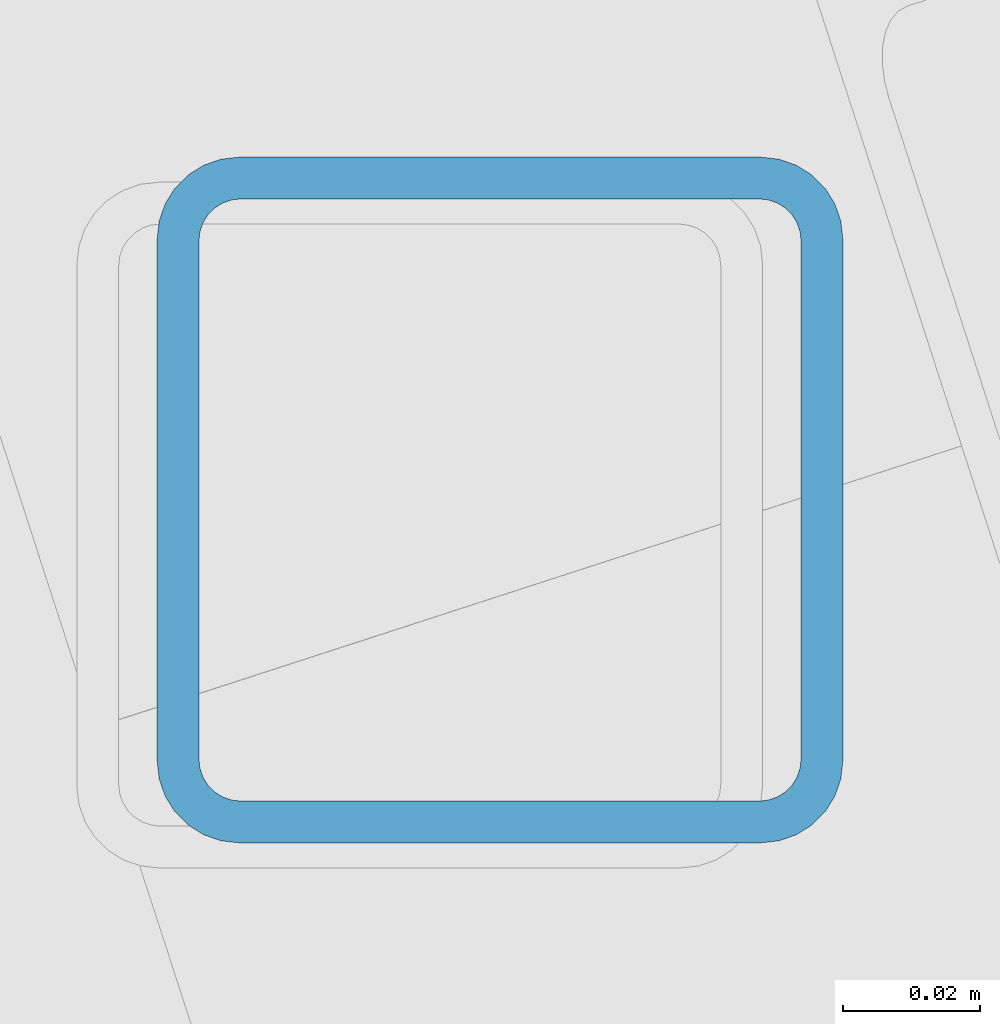
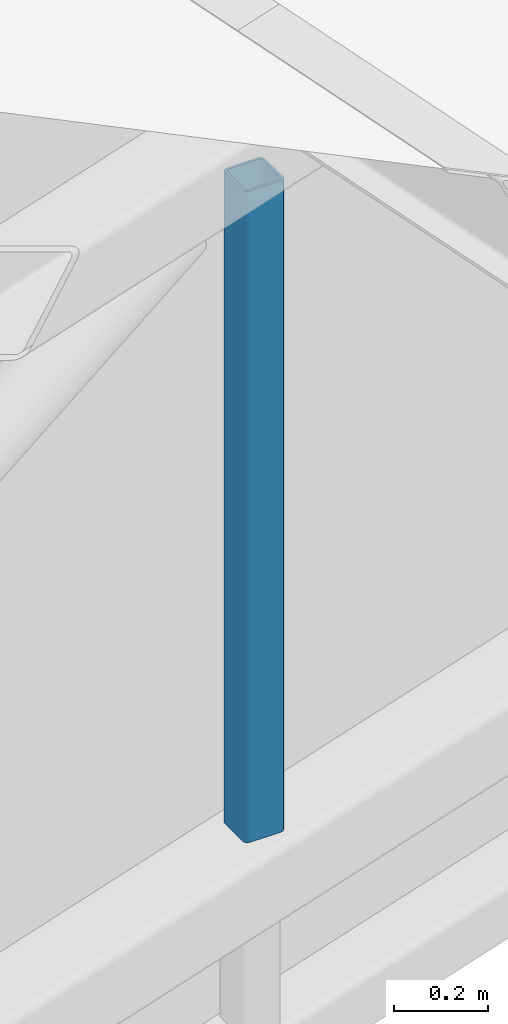
# One storey, part 12 of 55: 1 member.
"""IFC4 building model written with IfcOpenShell, lengths in metres."""

from ifc_helpers import new_model, si_unit, direction, frame, origin, origin_2d, place, context, subcontext, project, spatial, hollow_rectangle, extrude, material, material_profile, profile_set, type_object, element, save


model = new_model("IFC4")

# Units and contexts
model_context = context("Model", 3, precision=1e-05, world=origin(), true_north=direction((0.0, 1.0)))
body_context = subcontext(model_context, "Body", "Model", "MODEL_VIEW")
ifc_project = project(units=[si_unit("LENGTHUNIT", "METRE"), si_unit("AREAUNIT", "SQUARE_METRE"), si_unit("VOLUMEUNIT", "CUBIC_METRE"), si_unit("PLANEANGLEUNIT", "RADIAN"), si_unit("MASSUNIT", "GRAM", prefix="KILO")], contexts=[model_context])

# Site, building, storey
site_placement = place(None, origin())
site = spatial("IfcSite", under=ifc_project, at=site_placement, CompositionType="ELEMENT")
building_placement = place(site_placement, origin())
building = spatial("IfcBuilding", under=site, at=building_placement, Name="Tuart Plaza Theatre", CompositionType="ELEMENT")
storey_placement = place(building_placement, frame((0.0, 0.0, 21.5)))
storey = spatial("IfcBuildingStorey", under=building, at=storey_placement, Name="L05", CompositionType="ELEMENT", Elevation=21.5)

# Member
ifc_material = material(Name="Steel Grade C350L0", Category="steel")
ifc_material_profile = material_profile(ifc_material, hollow_rectangle(XDim=0.10009765625, YDim=0.10009765625, WallThickness=0.006103515625, InnerFilletRadius=0.006103515625, OuterFilletRadius=0.011962890625, at=origin_2d()), Name="100x100x6 SHS")
ifc_profile_set = profile_set([ifc_material_profile], Name="Steel Grade C350L0")
member_type = type_object("IfcMemberType", Name="MEMBER Post 100x100x6 SHS", PredefinedType="POST", material=ifc_profile_set)
member_placement = place(storey_placement, frame((55.44677734375, 72.1591796875, 1.475830078125), z_axis=(0.0, 0.0, 1.0), x_axis=(1.0, 0.0, 0.0)))
element("IfcMember", 1, at=member_placement, inside=storey, type_object=member_type, Name="PO32", PredefinedType="POST", context=body_context, shape_type="SweptSolid", body=[
    extrude(hollow_rectangle(XDim=0.10009765625, YDim=0.10009765625, WallThickness=0.006103515625, InnerFilletRadius=0.006103515625, OuterFilletRadius=0.011962890625, at=origin_2d()), origin(), (0.0, 0.0, 1.0), 1.7001953125),
])

save(model, "model.ifc")
